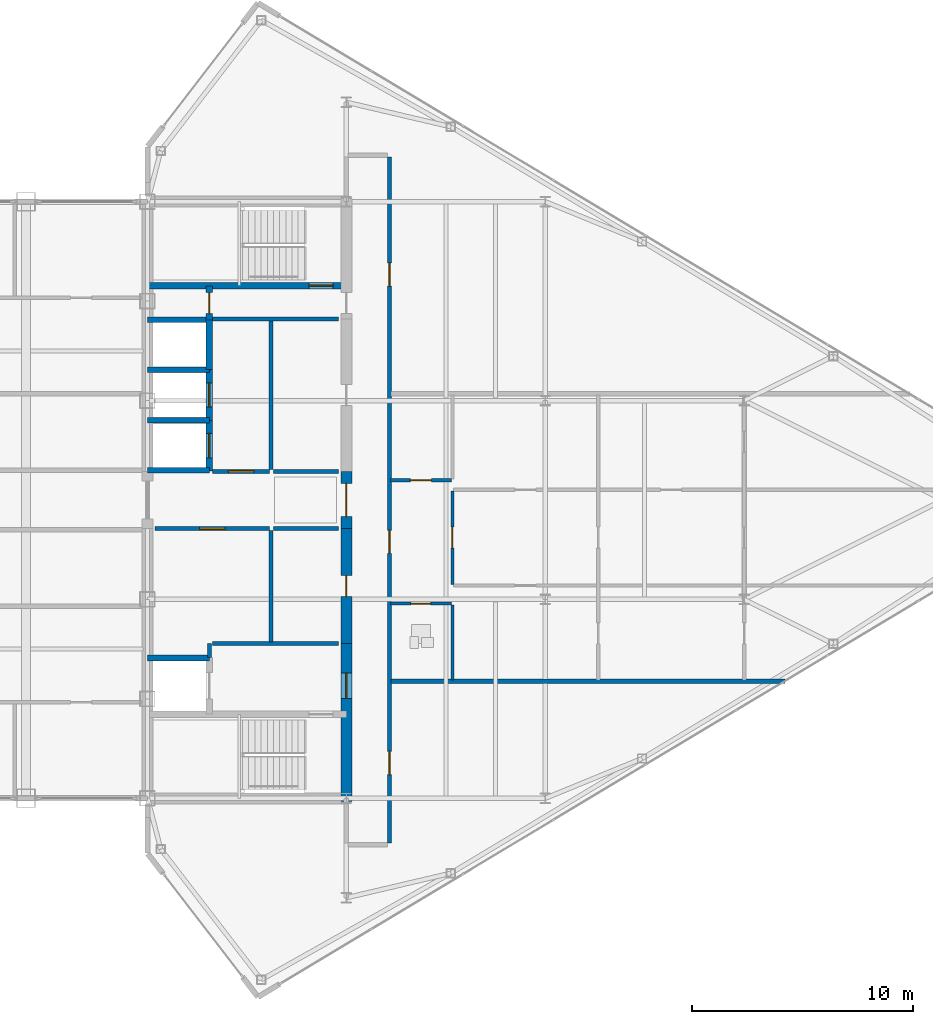
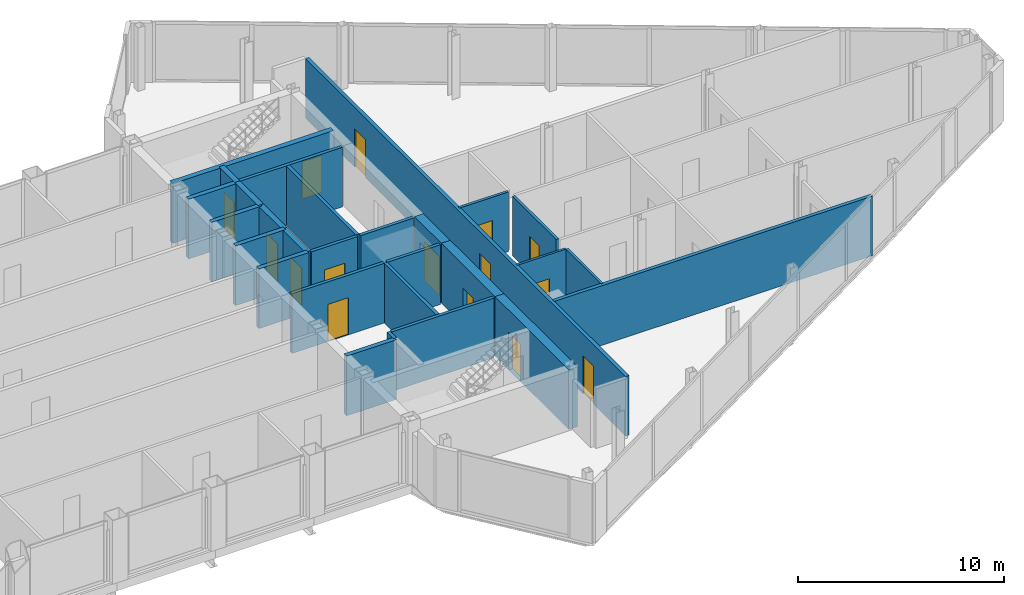
# One storey, part 25 of 29: 28 walls, 15 doors, 15 openings.
"""IFC4 building model written with IfcOpenShell, lengths in metres."""

from ifc_helpers import new_model, si_unit, direction, frame, frame_2d, origin, place, context, subcontext, project, spatial, rectangle, extrude, source, transform, mapped, material, layer, layer_set, type_object, type_shapes, element, fill, save


model = new_model("IFC4")

# Units and contexts
model_context = context("Model", 3, precision=1e-05, world=origin(), true_north=direction((0.0, 1.0)))
body_context = subcontext(model_context, "Body", "Model", "MODEL_VIEW")
ifc_project = project(units=[si_unit("LENGTHUNIT", "METRE"), si_unit("AREAUNIT", "SQUARE_METRE"), si_unit("VOLUMEUNIT", "CUBIC_METRE"), si_unit("PLANEANGLEUNIT", "RADIAN"), si_unit("MASSUNIT", "GRAM", prefix="KILO")], contexts=[model_context])

# Site, building, storey
site_placement = place(None, origin())
site = spatial("IfcSite", under=ifc_project, at=site_placement, CompositionType="ELEMENT")
building_placement = place(site_placement, origin())
building = spatial("IfcBuilding", under=site, at=building_placement, Name="Seokmaru Belvedere", CompositionType="ELEMENT")
storey_placement = place(building_placement, frame((0.0, 0.0, 250.64990234375)))
storey = spatial("IfcBuildingStorey", under=building, at=storey_placement, Name="L66", CompositionType="ELEMENT", Elevation=250.64990234375)

# Wall, opening, door
ifc_material_1 = material(Name="Fire-Rated Gypsum Shaftwall")
ifc_layer_1 = layer(ifc_material_1, 0.14990234375)
ifc_layer_set_1 = layer_set([ifc_layer_1], Name="Fire-Rated Gypsum Shaftwall")
wall_type_1 = type_object("IfcWallType", Name="Apartment Fire-Acoustic Room Partition 150", PredefinedType="PARTITIONING", material=ifc_layer_set_1)
wall_1_placement = place(storey_placement, frame((38.5, 0.89990234375, 0.0), z_axis=(0.0, 0.0, 1.0), x_axis=(1.0, 0.0, 0.0)))
wall_1 = element("IfcWall", 1, at=wall_1_placement, inside=storey, type_object=wall_type_1, Name="L66 Interior Partition 019", PredefinedType="PARTITIONING", context=body_context, shape_type="SweptSolid", body=[
    extrude(rectangle(XDim=2.75, YDim=0.14990234375, at=frame_2d((1.375, 0.0))), origin(), (0.0, 0.0, 1.0), 3.530029296875),
])
opening_1_placement = place(wall_1_placement, frame((0.89990234375, 0.0, 0.0)))
opening_1 = element("IfcOpeningElement", 2, at=opening_1_placement, cuts=wall_1, Name="Opening D05", PredefinedType="OPENING", context=body_context, shape_type="SweptSolid", body=[
    extrude(rectangle(XDim=0.949951171875, YDim=2.14990234375, at=frame_2d((0.47509765625, 1.074951171875))), frame((0.0, 0.0849609375, 0.0), z_axis=(0.0, -1.0, 0.0), x_axis=(1.0, 0.0, 0.0)), (0.0, 0.0, 1.0), 0.169921875),
])
ifc_material_2 = material(Name="Engineered White Oak Timber", Category="wood")
door_type_1 = type_object("IfcDoorType", Name="Apartment Interior Fire-Rated Oak Door 950x2150", OperationType="NOTDEFINED", PredefinedType="DOOR", material=ifc_material_2)
shared_shape_1 = source(origin(), body_context, "Body", "SweptSolid", [
    extrude(rectangle(XDim=0.949951171875, YDim=2.14990234375, at=frame_2d((0.47509765625, 1.074951171875))), frame((0.0, 0.02490234375, 0.0), z_axis=(0.0, -1.0, 0.0), x_axis=(1.0, 0.0, 0.0)), (0.0, 0.0, 1.0), 0.050048828125),
])
type_shapes(door_type_1, [shared_shape_1])
door_1_placement = place(opening_1_placement, origin())
door_1 = element("IfcDoor", 3, at=door_1_placement, inside=storey, type_object=door_type_1, Name="L66 Interior Door 015", OperationType="SINGLE_SWING_RIGHT", OverallHeight=2.14990234375, OverallWidth=0.949951171875, PredefinedType="DOOR", context=body_context, shape_type="MappedRepresentation", body=[
    mapped(shared_shape_1, transform((0.0, 0.0, 0.0), scale=1.0)),
])
fill(opening_1, door_1)

wall_2_placement = place(storey_placement, frame((41.300048828125, -3.81689453125, 0.0), z_axis=(0.0, 0.0, 1.0), x_axis=(0.0, 1.0, 0.0)))
wall_2 = element("IfcWall", 4, at=wall_2_placement, inside=storey, type_object=wall_type_1, Name="L66 Interior Partition 060", PredefinedType="PARTITIONING", context=body_context, shape_type="SweptSolid", body=[
    extrude(rectangle(XDim=4.23388671875, YDim=0.14990234375, at=frame_2d((2.116943359375, 0.0))), origin(), (0.0, 0.0, 1.0), 3.530029296875),
])
opening_2_placement = place(wall_2_placement, frame((1.64208984375, 0.0, 0.0)))
opening_2 = element("IfcOpeningElement", 5, at=opening_2_placement, cuts=wall_2, Name="Opening D05", PredefinedType="OPENING", context=body_context, shape_type="SweptSolid", body=[
    extrude(rectangle(XDim=0.949951171875, YDim=2.14990234375, at=frame_2d((0.47509765625, 1.074951171875))), frame((0.0, 0.0849609375, 0.0), z_axis=(0.0, -1.0, 0.0), x_axis=(1.0, 0.0, 0.0)), (0.0, 0.0, 1.0), 0.169921875),
])
door_2_placement = place(opening_2_placement, origin())
door_2 = element("IfcDoor", 6, at=door_2_placement, inside=storey, type_object=door_type_1, Name="L66 Interior Door 016", OperationType="SINGLE_SWING_LEFT", OverallHeight=2.14990234375, OverallWidth=0.949951171875, PredefinedType="DOOR", context=body_context, shape_type="MappedRepresentation", body=[
    mapped(shared_shape_1, transform((0.0, 0.0, 0.0), scale=1.0)),
])
fill(opening_2, door_2)

# Walls
ifc_layer_2 = layer(ifc_material_1, 0.179931640625)
ifc_layer_set_2 = layer_set([ifc_layer_2], Name="Fire-Rated Gypsum Shaftwall")
wall_type_2 = type_object("IfcWallType", Name="Core Service Fire Partition 180", PredefinedType="PARTITIONING", material=ifc_layer_set_2)
wall_3_placement = place(storey_placement, frame((30.449951171875, -6.5, 0.0), z_axis=(0.0, 0.0, 1.0), x_axis=(1.0, 0.0, 0.0)))
element("IfcWall", 7, at=wall_3_placement, inside=storey, type_object=wall_type_2, Name="L66 East Firefighting Lobby Partition", PredefinedType="PARTITIONING", context=body_context, shape_type="SweptSolid", body=[
    extrude(rectangle(XDim=5.699951171875, YDim=0.179931640625, at=frame_2d((2.85009765625, 0.0))), origin(), (0.0, 0.0, 1.0), 3.530029296875),
])
wall_4_placement = place(storey_placement, frame((30.300048828125, -7.1201171875, 0.0), z_axis=(0.0, 0.0, 1.0), x_axis=(0.0, 1.0, 0.0)))
element("IfcWall", 8, at=wall_4_placement, inside=storey, type_object=wall_type_2, Name="L66 East Firefighting Lobby East Closure Wall", PredefinedType="PARTITIONING", context=body_context, shape_type="SweptSolid", body=[
    extrude(rectangle(XDim=0.6201171875, YDim=0.179931640625, at=frame_2d((0.31005859375, 0.0))), origin(), (0.0, 0.0, 1.0), 3.530029296875),
])
wall_5_placement = place(storey_placement, frame((30.449951171875, 8.199951171875, 0.0), z_axis=(0.0, 0.0, 1.0), x_axis=(1.0, 0.0, 0.0)))
element("IfcWall", 9, at=wall_5_placement, inside=storey, type_object=wall_type_2, Name="L66 East Smokeproof Vestibule Partition", PredefinedType="PARTITIONING", context=body_context, shape_type="SweptSolid", body=[
    extrude(rectangle(XDim=5.699951171875, YDim=0.179931640625, at=frame_2d((2.85009765625, 0.0))), origin(), (0.0, 0.0, 1.0), 3.530029296875),
])
wall_6_placement = place(storey_placement, frame((33.10009765625, -6.419921875, 0.0), z_axis=(0.0, 0.0, 1.0), x_axis=(0.0, 1.0, 0.0)))
element("IfcWall", 10, at=wall_6_placement, inside=storey, type_object=wall_type_2, Name="L66 East South Core Service Back Wall", PredefinedType="PARTITIONING", context=body_context, shape_type="SweptSolid", body=[
    extrude(rectangle(XDim=5.0400390625, YDim=0.179931640625, at=frame_2d((2.52001953125, 0.0))), origin(), (0.0, 0.0, 1.0), 3.530029296875),
])
wall_7_placement = place(storey_placement, frame((33.10009765625, 1.3798828125, 0.0), z_axis=(0.0, 0.0, 1.0), x_axis=(0.0, 1.0, 0.0)))
element("IfcWall", 11, at=wall_7_placement, inside=storey, type_object=wall_type_2, Name="L66 East North Core Service Back Wall", PredefinedType="PARTITIONING", context=body_context, shape_type="SweptSolid", body=[
    extrude(rectangle(XDim=6.740234375, YDim=0.179931640625, at=frame_2d((3.3701171875, 0.0))), origin(), (0.0, 0.0, 1.0), 3.530029296875),
])

# Wall, opening, door
wall_8_placement = place(storey_placement, frame((27.85009765625, -1.300048828125, 0.0), z_axis=(0.0, 0.0, 1.0), x_axis=(1.0, 0.0, 0.0)))
wall_8 = element("IfcWall", 12, at=wall_8_placement, inside=storey, type_object=wall_type_2, Name="L66 East South Lift Lobby Foyer Wall", PredefinedType="PARTITIONING", context=body_context, shape_type="SweptSolid", body=[
    extrude(rectangle(XDim=5.169921875, YDim=0.179931640625, at=frame_2d((2.5849609375, 0.0))), origin(), (0.0, 0.0, 1.0), 3.530029296875),
])
opening_3_placement = place(wall_8_placement, frame((2.010009765625, 0.0, 0.0)))
opening_3 = element("IfcOpeningElement", 13, at=opening_3_placement, cuts=wall_8, Name="Opening D02", PredefinedType="OPENING", context=body_context, shape_type="SweptSolid", body=[
    extrude(rectangle(XDim=1.14990234375, YDim=2.199951171875, at=frame_2d((0.574951171875, 1.10009765625))), frame((0.0, 0.10009765625, 0.0), z_axis=(0.0, -1.0, 0.0), x_axis=(1.0, 0.0, 0.0)), (0.0, 0.0, 1.0), 0.199951171875),
])
ifc_material_3 = material(Name="Fire-Rated Steel Leaf", Category="steel")
door_type_2 = type_object("IfcDoorType", Name="Lobby and Vestibule Fire Door 1150x2200", OperationType="NOTDEFINED", PredefinedType="DOOR", material=ifc_material_3)
shared_shape_2 = source(origin(), body_context, "Body", "SweptSolid", [
    extrude(rectangle(XDim=1.14990234375, YDim=2.199951171875, at=frame_2d((0.574951171875, 1.10009765625))), frame((0.0, 0.02490234375, 0.0), z_axis=(0.0, -1.0, 0.0), x_axis=(1.0, 0.0, 0.0)), (0.0, 0.0, 1.0), 0.050048828125),
])
type_shapes(door_type_2, [shared_shape_2])
door_3_placement = place(opening_3_placement, origin())
door_3 = element("IfcDoor", 14, at=door_3_placement, inside=storey, type_object=door_type_2, Name="L66 East South Core Foyer Door", OperationType="SINGLE_SWING_RIGHT", OverallHeight=2.199951171875, OverallWidth=1.14990234375, PredefinedType="DOOR", context=body_context, shape_type="MappedRepresentation", body=[
    mapped(shared_shape_2, transform((0.0, 0.0, 0.0), scale=1.0)),
])
fill(opening_3, door_3)

wall_9_placement = place(storey_placement, frame((30.449951171875, 1.300048828125, 0.0), z_axis=(0.0, 0.0, 1.0), x_axis=(1.0, 0.0, 0.0)))
wall_9 = element("IfcWall", 15, at=wall_9_placement, inside=storey, type_object=wall_type_2, Name="L66 East North Lift Lobby Foyer Wall", PredefinedType="PARTITIONING", context=body_context, shape_type="SweptSolid", body=[
    extrude(rectangle(XDim=2.570068359375, YDim=0.179931640625, at=frame_2d((1.28515625, 0.0))), origin(), (0.0, 0.0, 1.0), 3.530029296875),
])
opening_4_placement = place(wall_9_placement, frame((0.7099609375, 0.0, 0.0)))
opening_4 = element("IfcOpeningElement", 16, at=opening_4_placement, cuts=wall_9, Name="Opening D02", PredefinedType="OPENING", context=body_context, shape_type="SweptSolid", body=[
    extrude(rectangle(XDim=1.14990234375, YDim=2.199951171875, at=frame_2d((0.574951171875, 1.10009765625))), frame((0.0, 0.10009765625, 0.0), z_axis=(0.0, -1.0, 0.0), x_axis=(1.0, 0.0, 0.0)), (0.0, 0.0, 1.0), 0.199951171875),
])
door_4_placement = place(opening_4_placement, origin())
door_4 = element("IfcDoor", 17, at=door_4_placement, inside=storey, type_object=door_type_2, Name="L66 East North Lift Lobby Door", OperationType="SINGLE_SWING_LEFT", OverallHeight=2.199951171875, OverallWidth=1.14990234375, PredefinedType="DOOR", context=body_context, shape_type="MappedRepresentation", body=[
    mapped(shared_shape_2, transform((0.0, 0.0, 0.0), scale=1.0)),
])
fill(opening_4, door_4)

# Walls
for number, where, z_axis, x_axis, name in (
    (18, (33.199951171875, -1.300048828125, 0.0), (0.0, 0.0, 1.0), (1.0, 0.0, 0.0), "L66 East Foyer Side Wall S"),
    (19, (33.199951171875, 1.300048828125, 0.0), (0.0, 0.0, 1.0), (1.0, 0.0, 0.0), "L66 East Foyer Side Wall N"),
):
    element("IfcWall", number, at=place(storey_placement, frame(where, z_axis=z_axis, x_axis=x_axis)), inside=storey, type_object=wall_type_2, Name=name, PredefinedType="PARTITIONING", context=body_context, shape_type="SweptSolid", body=[
        extrude(rectangle(XDim=2.949951171875, YDim=0.179931640625, at=frame_2d((1.47509765625, 0.0))), origin(), (0.0, 0.0, 1.0), 3.530029296875),
    ])
ifc_material_4 = material(Name="Concrete C50 (50 MPa)", Category="concrete")
ifc_layer_3 = layer(ifc_material_4, 0.25)
ifc_layer_set_3 = layer_set([ifc_layer_3], Name="Concrete C50 (50 MPa)")
wall_type_3 = type_object("IfcWallType", Name="Hoistway Transverse Concrete Divider Wall 250", PredefinedType="SHEAR", material=ifc_layer_set_3)
for number, where, z_axis, x_axis, name in (
    (20, (27.5, -7.14990234375, 0.0), (0.0, 0.0, 1.0), (1.0, 0.0, 0.0), "L66 East Hoistway Divider Core Wall 1"),
    (21, (27.5, 1.35009765625, 0.0), (0.0, 0.0, 1.0), (1.0, 0.0, 0.0), "L66 East Hoistway Divider Core Wall 2"),
    (22, (27.5, 3.60009765625, 0.0), (0.0, 0.0, 1.0), (1.0, 0.0, 0.0), "L66 East Hoistway Divider Core Wall 3"),
    (23, (27.5, 5.89990234375, 0.0), (0.0, 0.0, 1.0), (1.0, 0.0, 0.0), "L66 East Hoistway Divider Core Wall 4"),
    (24, (27.5, 8.14990234375, 0.0), (0.0, 0.0, 1.0), (1.0, 0.0, 0.0), "L66 East Hoistway Divider Core Wall 5"),
):
    element("IfcWall", number, at=place(storey_placement, frame(where, z_axis=z_axis, x_axis=x_axis)), inside=storey, type_object=wall_type_3, Name=name, PredefinedType="SHEAR", context=body_context, shape_type="SweptSolid", body=[
        extrude(rectangle(XDim=2.800048828125, YDim=0.25, at=frame_2d((1.39990234375, 0.0))), origin(), (0.0, 0.0, 1.0), 3.530029296875),
    ])
ifc_layer_4 = layer(ifc_material_1, 0.199951171875)
ifc_layer_set_4 = layer_set([ifc_layer_4], Name="Fire-Rated Gypsum Shaftwall")
wall_type_4 = type_object("IfcWallType", Name="Inter-Tenancy Fire Compartment Partition 200", PredefinedType="PARTITIONING", material=ifc_layer_set_4)
wall_10_placement = place(storey_placement, frame((38.530029296875, -8.199951171875, 0.0), z_axis=(0.0, 0.0, 1.0), x_axis=(1.0, 0.0, 0.0)))
element("IfcWall", 25, at=wall_10_placement, inside=storey, type_object=wall_type_4, Name="L66 Interior Partition 007", PredefinedType="PARTITIONING", context=body_context, shape_type="SweptSolid", body=[
    extrude(rectangle(XDim=17.81298828125, YDim=0.199951171875, at=frame_2d((8.906494140625, 0.0))), origin(), (0.0, 0.0, 1.0), 3.530029296875),
])

# Wall, openings, doors
wall_11_placement = place(storey_placement, frame((38.449951171875, -15.514892578125, 0.0), z_axis=(0.0, 0.0, 1.0), x_axis=(0.0, 1.0, 0.0)))
wall_11 = element("IfcWall", 26, at=wall_11_placement, inside=storey, type_object=wall_type_4, Name="L66 Interior Partition 058", PredefinedType="PARTITIONING", context=body_context, shape_type="SweptSolid", body=[
    extrude(rectangle(XDim=31.02978515625, YDim=0.199951171875, at=frame_2d((15.514892578125, 0.0))), origin(), (0.0, 0.0, 1.0), 3.530029296875),
])
opening_5_placement = place(wall_11_placement, frame((3.090087890625, 0.0, 0.0)))
opening_5 = element("IfcOpeningElement", 27, at=opening_5_placement, cuts=wall_11, Name="Opening D03", PredefinedType="OPENING", context=body_context, shape_type="SweptSolid", body=[
    extrude(rectangle(XDim=1.050048828125, YDim=2.25, at=frame_2d((0.52490234375, 1.125))), frame((0.0, 0.10986328125, 0.0), z_axis=(0.0, -1.0, 0.0), x_axis=(1.0, 0.0, 0.0)), (0.0, 0.0, 1.0), 0.219970703125),
])
opening_6_placement = place(wall_11_placement, frame((13.094970703125, 0.0, 0.0)))
opening_6 = element("IfcOpeningElement", 28, at=opening_6_placement, cuts=wall_11, Name="Opening D03", PredefinedType="OPENING", context=body_context, shape_type="SweptSolid", body=[
    extrude(rectangle(XDim=1.050048828125, YDim=2.25, at=frame_2d((0.52490234375, 1.125))), frame((0.0, 0.10986328125, 0.0), z_axis=(0.0, -1.0, 0.0), x_axis=(1.0, 0.0, 0.0)), (0.0, 0.0, 1.0), 0.219970703125),
])
opening_7_placement = place(wall_11_placement, frame((25.18994140625, 0.0, 0.0)))
opening_7 = element("IfcOpeningElement", 29, at=opening_7_placement, cuts=wall_11, Name="Opening D03", PredefinedType="OPENING", context=body_context, shape_type="SweptSolid", body=[
    extrude(rectangle(XDim=1.050048828125, YDim=2.25, at=frame_2d((0.52490234375, 1.125))), frame((0.0, 0.10986328125, 0.0), z_axis=(0.0, -1.0, 0.0), x_axis=(1.0, 0.0, 0.0)), (0.0, 0.0, 1.0), 0.219970703125),
])
door_type_3 = type_object("IfcDoorType", Name="Apartment Entrance Fire Door 1050x2250", OperationType="NOTDEFINED", PredefinedType="DOOR", material=ifc_material_3)
shared_shape_3 = source(origin(), body_context, "Body", "SweptSolid", [
    extrude(rectangle(XDim=1.050048828125, YDim=2.25, at=frame_2d((0.52490234375, 1.125))), frame((0.0, 0.02490234375, 0.0), z_axis=(0.0, -1.0, 0.0), x_axis=(1.0, 0.0, 0.0)), (0.0, 0.0, 1.0), 0.050048828125),
])
type_shapes(door_type_3, [shared_shape_3])
door_5_placement = place(opening_5_placement, origin())
door_5 = element("IfcDoor", 30, at=door_5_placement, inside=storey, type_object=door_type_3, Name="L66 Interior Door 012", OperationType="SINGLE_SWING_LEFT", OverallHeight=2.25, OverallWidth=1.050048828125, PredefinedType="DOOR", context=body_context, shape_type="MappedRepresentation", body=[
    mapped(shared_shape_3, transform((0.0, 0.0, 0.0), scale=1.0)),
])
fill(opening_5, door_5)
door_6_placement = place(opening_6_placement, origin())
door_6 = element("IfcDoor", 31, at=door_6_placement, inside=storey, type_object=door_type_3, Name="L66 Interior Door 013", OperationType="SINGLE_SWING_RIGHT", OverallHeight=2.25, OverallWidth=1.050048828125, PredefinedType="DOOR", context=body_context, shape_type="MappedRepresentation", body=[
    mapped(shared_shape_3, transform((0.0, 0.0, 0.0), scale=1.0)),
])
fill(opening_6, door_6)
door_7_placement = place(opening_7_placement, origin())
door_7 = element("IfcDoor", 32, at=door_7_placement, inside=storey, type_object=door_type_3, Name="L66 Interior Door 025", OperationType="SINGLE_SWING_LEFT", OverallHeight=2.25, OverallWidth=1.050048828125, PredefinedType="DOOR", context=body_context, shape_type="MappedRepresentation", body=[
    mapped(shared_shape_3, transform((0.0, 0.0, 0.0), scale=1.0)),
])
fill(opening_7, door_7)

# Wall, opening, door
ifc_layer_5 = layer(ifc_material_4, 0.300048828125)
ifc_layer_set_5 = layer_set([ifc_layer_5], Name="Concrete C50 (50 MPa)")
wall_type_5 = type_object("IfcWallType", Name="Internal Core Stair and Hoistway Wall 300", PredefinedType="SHEAR", material=ifc_layer_set_5)
wall_12_placement = place(storey_placement, frame((27.5, 9.699951171875, 0.0), z_axis=(0.0, 0.0, 1.0), x_axis=(1.0, 0.0, 0.0)))
wall_12 = element("IfcWall", 33, at=wall_12_placement, inside=storey, type_object=wall_type_5, Name="L66 East Stair ST-2 Enclosure Wall", PredefinedType="SHEAR", context=body_context, shape_type="SweptSolid", body=[
    extrude(rectangle(XDim=9.0, YDim=0.300048828125, at=frame_2d((4.5, 0.0))), origin(), (0.0, 0.0, 1.0), 3.530029296875),
])
opening_8_placement = place(wall_12_placement, frame((7.300048828125, 0.0, 0.0)))
opening_8 = element("IfcOpeningElement", 34, at=opening_8_placement, cuts=wall_12, Name="Opening D01", PredefinedType="OPENING", context=body_context, shape_type="SweptSolid", body=[
    extrude(rectangle(XDim=1.10009765625, YDim=2.199951171875, at=frame_2d((0.550048828125, 1.10009765625))), frame((0.0, 0.16015625, 0.0), z_axis=(0.0, -1.0, 0.0), x_axis=(1.0, 0.0, 0.0)), (0.0, 0.0, 1.0), 0.320068359375),
])
door_type_4 = type_object("IfcDoorType", Name="Special Escape Stair Smokeproof Fire Door 1100x2200", OperationType="NOTDEFINED", PredefinedType="DOOR", material=ifc_material_3)
shared_shape_4 = source(origin(), body_context, "Body", "SweptSolid", [
    extrude(rectangle(XDim=1.10009765625, YDim=2.199951171875, at=frame_2d((0.550048828125, 1.10009765625))), frame((0.0, 0.02490234375, 0.0), z_axis=(0.0, -1.0, 0.0), x_axis=(1.0, 0.0, 0.0)), (0.0, 0.0, 1.0), 0.050048828125),
])
type_shapes(door_type_4, [shared_shape_4])
door_8_placement = place(opening_8_placement, origin())
door_8 = element("IfcDoor", 35, at=door_8_placement, inside=storey, type_object=door_type_4, Name="L66 East Special Escape Stair ST-2 Door", OperationType="SINGLE_SWING_LEFT", OverallHeight=2.199951171875, OverallWidth=1.10009765625, PredefinedType="DOOR", context=body_context, shape_type="MappedRepresentation", body=[
    mapped(shared_shape_4, transform((0.0, 0.0, 0.0), scale=1.0)),
])
fill(opening_8, door_8)

wall_13_placement = place(storey_placement, frame((30.300048828125, 1.320068359375, 0.0), z_axis=(0.0, 0.0, 1.0), x_axis=(0.0, 1.0, 0.0)))
wall_13 = element("IfcWall", 36, at=wall_13_placement, inside=storey, type_object=wall_type_5, Name="L66 East North Hoistway Wall PH1", PredefinedType="SHEAR", context=body_context, shape_type="SweptSolid", body=[
    extrude(rectangle(XDim=2.280029296875, YDim=0.300048828125, at=frame_2d((1.14013671875, 0.0))), origin(), (0.0, 0.0, 1.0), 3.530029296875),
])
opening_9_placement = place(wall_13_placement, frame((0.590087890625, 0.0, 0.0)))
opening_9 = element("IfcOpeningElement", 37, at=opening_9_placement, cuts=wall_13, Name="Opening LD1", PredefinedType="OPENING", context=body_context, shape_type="SweptSolid", body=[
    extrude(rectangle(XDim=1.10009765625, YDim=2.199951171875, at=frame_2d((0.550048828125, 1.10009765625))), frame((0.0, 0.16015625, 0.0), z_axis=(0.0, -1.0, 0.0), x_axis=(1.0, 0.0, 0.0)), (0.0, 0.0, 1.0), 0.320068359375),
])
ifc_material_5 = material(Name="Stainless Steel 316", Category="steel")
door_type_5 = type_object("IfcDoorType", Name="Passenger Lift Sliding Landing Door 1100x2200", OperationType="DOUBLE_DOOR_SLIDING", PredefinedType="DOOR", material=ifc_material_5)
shared_shape_5 = source(origin(), body_context, "Body", "SweptSolid", [
    extrude(rectangle(XDim=1.10009765625, YDim=2.199951171875, at=frame_2d((0.550048828125, 1.10009765625))), frame((0.0, 0.02490234375, 0.0), z_axis=(0.0, -1.0, 0.0), x_axis=(1.0, 0.0, 0.0)), (0.0, 0.0, 1.0), 0.050048828125),
])
type_shapes(door_type_5, [shared_shape_5])
door_9_placement = place(opening_9_placement, origin())
door_9 = element("IfcDoor", 38, at=door_9_placement, inside=storey, type_object=door_type_5, Name="L66 East High-Rise Lift PH-1 Landing Door", OperationType="DOUBLE_DOOR_SLIDING", OverallHeight=2.199951171875, OverallWidth=1.10009765625, PredefinedType="DOOR", context=body_context, shape_type="MappedRepresentation", body=[
    mapped(shared_shape_5, transform((0.0, 0.0, 0.0), scale=1.0)),
])
fill(opening_9, door_9)

wall_14_placement = place(storey_placement, frame((30.300048828125, 3.60009765625, 0.0), z_axis=(0.0, 0.0, 1.0), x_axis=(0.0, 1.0, 0.0)))
wall_14 = element("IfcWall", 39, at=wall_14_placement, inside=storey, type_object=wall_type_5, Name="L66 East North Hoistway Wall PH2", PredefinedType="SHEAR", context=body_context, shape_type="SweptSolid", body=[
    extrude(rectangle(XDim=2.2998046875, YDim=0.300048828125, at=frame_2d((1.14990234375, 0.0))), origin(), (0.0, 0.0, 1.0), 3.530029296875),
])
opening_10_placement = place(wall_14_placement, frame((0.60009765625, 0.0, 0.0)))
opening_10 = element("IfcOpeningElement", 40, at=opening_10_placement, cuts=wall_14, Name="Opening LD1", PredefinedType="OPENING", context=body_context, shape_type="SweptSolid", body=[
    extrude(rectangle(XDim=1.10009765625, YDim=2.199951171875, at=frame_2d((0.550048828125, 1.10009765625))), frame((0.0, 0.16015625, 0.0), z_axis=(0.0, -1.0, 0.0), x_axis=(1.0, 0.0, 0.0)), (0.0, 0.0, 1.0), 0.320068359375),
])
door_10_placement = place(opening_10_placement, origin())
door_10 = element("IfcDoor", 41, at=door_10_placement, inside=storey, type_object=door_type_5, Name="L66 East High-Rise Lift PH-2 Landing Door", OperationType="DOUBLE_DOOR_SLIDING", OverallHeight=2.199951171875, OverallWidth=1.10009765625, PredefinedType="DOOR", context=body_context, shape_type="MappedRepresentation", body=[
    mapped(shared_shape_5, transform((0.0, 0.0, 0.0), scale=1.0)),
])
fill(opening_10, door_10)

# Wall
wall_15_placement = place(storey_placement, frame((30.300048828125, 5.89990234375, 0.0), z_axis=(0.0, 0.0, 1.0), x_axis=(0.0, 1.0, 0.0)))
element("IfcWall", 42, at=wall_15_placement, inside=storey, type_object=wall_type_5, Name="L66 East North Hoistway Wall OBS", PredefinedType="SHEAR", context=body_context, shape_type="SweptSolid", body=[
    extrude(rectangle(XDim=2.25, YDim=0.300048828125, at=frame_2d((1.125, 0.0))), origin(), (0.0, 0.0, 1.0), 3.530029296875),
])

# Wall, opening, door
wall_16_placement = place(storey_placement, frame((30.300048828125, 8.14990234375, 0.0), z_axis=(0.0, 0.0, 1.0), x_axis=(0.0, 1.0, 0.0)))
wall_16 = element("IfcWall", 43, at=wall_16_placement, inside=storey, type_object=wall_type_5, Name="L66 East Electrical Riser Front Wall", PredefinedType="SHEAR", context=body_context, shape_type="SweptSolid", body=[
    extrude(rectangle(XDim=1.530029296875, YDim=0.300048828125, at=frame_2d((0.76513671875, 0.0))), origin(), (0.0, 0.0, 1.0), 3.530029296875),
])
opening_11_placement = place(wall_16_placement, frame((0.284912109375, 0.0, 0.0)))
opening_11 = element("IfcOpeningElement", 44, at=opening_11_placement, cuts=wall_16, Name="Opening D04", PredefinedType="OPENING", context=body_context, shape_type="SweptSolid", body=[
    extrude(rectangle(XDim=0.949951171875, YDim=2.14990234375, at=frame_2d((0.47509765625, 1.074951171875))), frame((0.0, 0.16015625, 0.0), z_axis=(0.0, -1.0, 0.0), x_axis=(1.0, 0.0, 0.0)), (0.0, 0.0, 1.0), 0.320068359375),
])
door_type_6 = type_object("IfcDoorType", Name="Core Service Room Fire Door 950x2150", OperationType="NOTDEFINED", PredefinedType="DOOR", material=ifc_material_3)
shared_shape_6 = source(origin(), body_context, "Body", "SweptSolid", [
    extrude(rectangle(XDim=0.949951171875, YDim=2.14990234375, at=frame_2d((0.47509765625, 1.074951171875))), frame((0.0, 0.02490234375, 0.0), z_axis=(0.0, -1.0, 0.0), x_axis=(1.0, 0.0, 0.0)), (0.0, 0.0, 1.0), 0.050048828125),
])
type_shapes(door_type_6, [shared_shape_6])
door_11_placement = place(opening_11_placement, origin())
door_11 = element("IfcDoor", 45, at=door_11_placement, inside=storey, type_object=door_type_6, Name="L66 East Electrical Riser Access Door", OperationType="SINGLE_SWING_RIGHT", OverallHeight=2.14990234375, OverallWidth=0.949951171875, PredefinedType="DOOR", context=body_context, shape_type="MappedRepresentation", body=[
    mapped(shared_shape_6, transform((0.0, 0.0, 0.0), scale=1.0)),
])
fill(opening_11, door_11)

ifc_layer_6 = layer(ifc_material_1, 0.1298828125)
ifc_layer_set_6 = layer_set([ifc_layer_6], Name="Fire-Rated Gypsum Shaftwall")
wall_type_6 = type_object("IfcWallType", Name="Moisture-Resistant Fire-Rated Bathroom Partition 130", PredefinedType="PARTITIONING", material=ifc_layer_set_6)
wall_17_placement = place(storey_placement, frame((38.5, -4.68994140625, 0.0), z_axis=(0.0, 0.0, 1.0), x_axis=(1.0, 0.0, 0.0)))
wall_17 = element("IfcWall", 46, at=wall_17_placement, inside=storey, type_object=wall_type_6, Name="L66 Interior Partition 012", PredefinedType="PARTITIONING", context=body_context, shape_type="SweptSolid", body=[
    extrude(rectangle(XDim=2.75, YDim=0.1298828125, at=frame_2d((1.375, 0.0))), origin(), (0.0, 0.0, 1.0), 3.530029296875),
])
opening_12_placement = place(wall_17_placement, frame((0.93505859375, 0.0, 0.0)))
opening_12 = element("IfcOpeningElement", 47, at=opening_12_placement, cuts=wall_17, Name="Opening D06", PredefinedType="OPENING", context=body_context, shape_type="SweptSolid", body=[
    extrude(rectangle(XDim=0.8798828125, YDim=2.10009765625, at=frame_2d((0.43994140625, 1.050048828125))), frame((0.0, 0.074951171875, 0.0), z_axis=(0.0, -1.0, 0.0), x_axis=(1.0, 0.0, 0.0)), (0.0, 0.0, 1.0), 0.14990234375),
])
door_type_7 = type_object("IfcDoorType", Name="Bathroom and Restroom Fire-Rated Door 880x2100", OperationType="NOTDEFINED", PredefinedType="DOOR", material=ifc_material_2)
shared_shape_7 = source(origin(), body_context, "Body", "SweptSolid", [
    extrude(rectangle(XDim=0.8798828125, YDim=2.10009765625, at=frame_2d((0.43994140625, 1.050048828125))), frame((0.0, 0.02490234375, 0.0), z_axis=(0.0, -1.0, 0.0), x_axis=(1.0, 0.0, 0.0)), (0.0, 0.0, 1.0), 0.050048828125),
])
type_shapes(door_type_7, [shared_shape_7])
door_12_placement = place(opening_12_placement, origin())
door_12 = element("IfcDoor", 48, at=door_12_placement, inside=storey, type_object=door_type_7, Name="L66 Interior Door 014", OperationType="SINGLE_SWING_RIGHT", OverallHeight=2.10009765625, OverallWidth=0.8798828125, PredefinedType="DOOR", context=body_context, shape_type="MappedRepresentation", body=[
    mapped(shared_shape_7, transform((0.0, 0.0, 0.0), scale=1.0)),
])
fill(opening_12, door_12)

# Wall
wall_18_placement = place(storey_placement, frame((41.300048828125, -8.14990234375, 0.0), z_axis=(0.0, 0.0, 1.0), x_axis=(0.0, 1.0, 0.0)))
element("IfcWall", 49, at=wall_18_placement, inside=storey, type_object=wall_type_6, Name="L66 Interior Partition 059", PredefinedType="PARTITIONING", context=body_context, shape_type="SweptSolid", body=[
    extrude(rectangle(XDim=3.407958984375, YDim=0.1298828125, at=frame_2d((1.7041015625, 0.0))), origin(), (0.0, 0.0, 1.0), 3.530029296875),
])

# Wall, opening, door
ifc_layer_7 = layer(ifc_material_4, 0.5)
ifc_layer_set_7 = layer_set([ifc_layer_7], Name="Concrete C50 (50 MPa)")
wall_type_7 = type_object("IfcWallType", Name="Upper Tower Reinforced Concrete Core Wall 500", PredefinedType="SHEAR", material=ifc_layer_set_7)
wall_19_placement = place(storey_placement, frame((36.5, -13.64990234375, 0.0), z_axis=(0.0, 0.0, 1.0), x_axis=(0.0, 1.0, 0.0)))
wall_19 = element("IfcWall", 50, at=wall_19_placement, inside=storey, type_object=wall_type_7, Name="L66 East West Core Wall FF", PredefinedType="SHEAR", context=body_context, shape_type="SweptSolid", body=[
    extrude(rectangle(XDim=7.14990234375, YDim=0.5, at=frame_2d((3.574951171875, 0.0))), origin(), (0.0, 0.0, 1.0), 3.530029296875),
])
opening_13_placement = place(wall_19_placement, frame((4.675048828125, 0.0, 0.0)))
opening_13 = element("IfcOpeningElement", 51, at=opening_13_placement, cuts=wall_19, Name="Opening D02", PredefinedType="OPENING", context=body_context, shape_type="SweptSolid", body=[
    extrude(rectangle(XDim=1.14990234375, YDim=2.199951171875, at=frame_2d((0.574951171875, 1.10009765625))), frame((0.0, 0.260009765625, 0.0), z_axis=(0.0, -1.0, 0.0), x_axis=(1.0, 0.0, 0.0)), (0.0, 0.0, 1.0), 0.52001953125),
])
door_13_placement = place(opening_13_placement, origin())
door_13 = element("IfcDoor", 52, at=door_13_placement, inside=storey, type_object=door_type_2, Name="L66 East Firefighting Lobby Door", OperationType="SINGLE_SWING_RIGHT", OverallHeight=2.199951171875, OverallWidth=1.14990234375, PredefinedType="DOOR", context=body_context, shape_type="MappedRepresentation", body=[
    mapped(shared_shape_2, transform((0.0, 0.0, 0.0), scale=1.0)),
])
fill(opening_13, door_13)

wall_20_placement = place(storey_placement, frame((36.5, -1.300048828125, 0.0), z_axis=(0.0, 0.0, 1.0), x_axis=(0.0, 1.0, 0.0)))
wall_20 = element("IfcWall", 53, at=wall_20_placement, inside=storey, type_object=wall_type_7, Name="L66 East West Core Wall FOY", PredefinedType="SHEAR", context=body_context, shape_type="SweptSolid", body=[
    extrude(rectangle(XDim=2.60009765625, YDim=0.5, at=frame_2d((1.300048828125, 0.0))), origin(), (0.0, 0.0, 1.0), 3.530029296875),
])
opening_14_placement = place(wall_20_placement, frame((0.550048828125, 0.0, 0.0)))
opening_14 = element("IfcOpeningElement", 54, at=opening_14_placement, cuts=wall_20, Name="Opening D08", PredefinedType="OPENING", context=body_context, shape_type="SweptSolid", body=[
    extrude(rectangle(XDim=1.5, YDim=2.300048828125, at=frame_2d((0.75, 1.14990234375))), frame((0.0, 0.260009765625, 0.0), z_axis=(0.0, -1.0, 0.0), x_axis=(1.0, 0.0, 0.0)), (0.0, 0.0, 1.0), 0.52001953125),
])
door_type_8 = type_object("IfcDoorType", Name="Cross-Corridor Compartment Double Fire Door 1500x2300", OperationType="DOUBLE_SWING_LEFT", PredefinedType="DOOR", material=ifc_material_3)
shared_shape_8 = source(origin(), body_context, "Body", "SweptSolid", [
    extrude(rectangle(XDim=1.5, YDim=2.300048828125, at=frame_2d((0.75, 1.14990234375))), frame((0.0, 0.02490234375, 0.0), z_axis=(0.0, -1.0, 0.0), x_axis=(1.0, 0.0, 0.0)), (0.0, 0.0, 1.0), 0.050048828125),
])
type_shapes(door_type_8, [shared_shape_8])
door_14_placement = place(opening_14_placement, origin())
door_14 = element("IfcDoor", 55, at=door_14_placement, inside=storey, type_object=door_type_8, Name="L66 East Core Foyer Compartment Door", OperationType="DOUBLE_SWING_LEFT", OverallHeight=2.300048828125, OverallWidth=1.5, PredefinedType="DOOR", context=body_context, shape_type="MappedRepresentation", body=[
    mapped(shared_shape_8, transform((0.0, 0.0, 0.0), scale=1.0)),
])
fill(opening_14, door_14)

wall_21_placement = place(storey_placement, frame((36.5, -6.5, 0.0), z_axis=(0.0, 0.0, 1.0), x_axis=(0.0, 1.0, 0.0)))
wall_21 = element("IfcWall", 56, at=wall_21_placement, inside=storey, type_object=wall_type_7, Name="L66 East West Core Wall CS1", PredefinedType="SHEAR", context=body_context, shape_type="SweptSolid", body=[
    extrude(rectangle(XDim=5.199951171875, YDim=0.5, at=frame_2d((2.60009765625, 0.0))), origin(), (0.0, 0.0, 1.0), 3.530029296875),
])
opening_15_placement = place(wall_21_placement, frame((2.125, 0.0, 0.0)))
opening_15 = element("IfcOpeningElement", 57, at=opening_15_placement, cuts=wall_21, Name="Opening D04", PredefinedType="OPENING", context=body_context, shape_type="SweptSolid", body=[
    extrude(rectangle(XDim=0.949951171875, YDim=2.14990234375, at=frame_2d((0.47509765625, 1.074951171875))), frame((0.0, 0.260009765625, 0.0), z_axis=(0.0, -1.0, 0.0), x_axis=(1.0, 0.0, 0.0)), (0.0, 0.0, 1.0), 0.52001953125),
])
door_15_placement = place(opening_15_placement, origin())
door_15 = element("IfcDoor", 58, at=door_15_placement, inside=storey, type_object=door_type_6, Name="L66 East Core Service Room Door 1", OperationType="SINGLE_SWING_RIGHT", OverallHeight=2.14990234375, OverallWidth=0.949951171875, PredefinedType="DOOR", context=body_context, shape_type="MappedRepresentation", body=[
    mapped(shared_shape_6, transform((0.0, 0.0, 0.0), scale=1.0)),
])
fill(opening_15, door_15)

save(model, "model.ifc")
